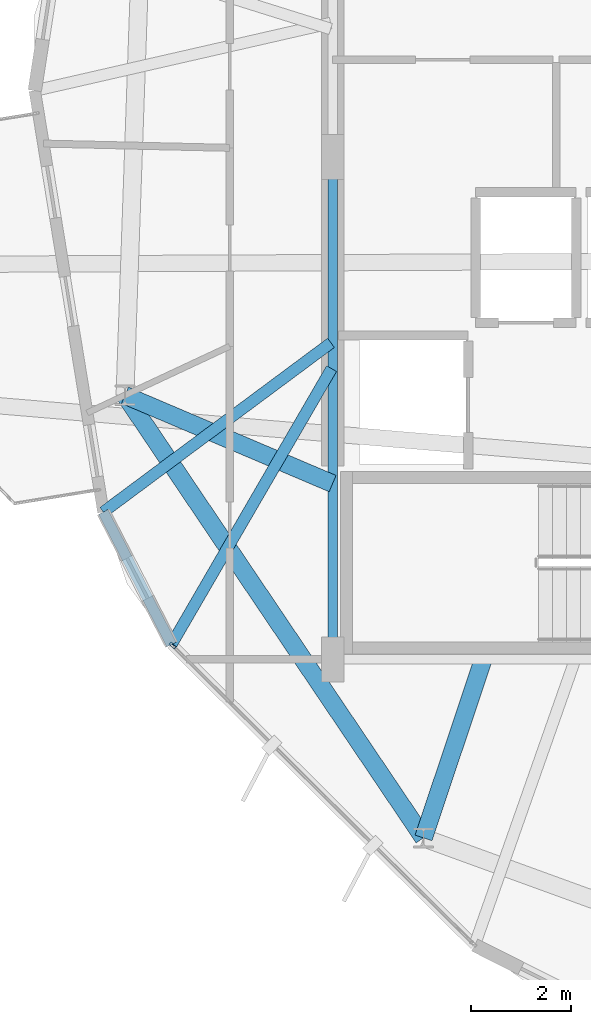
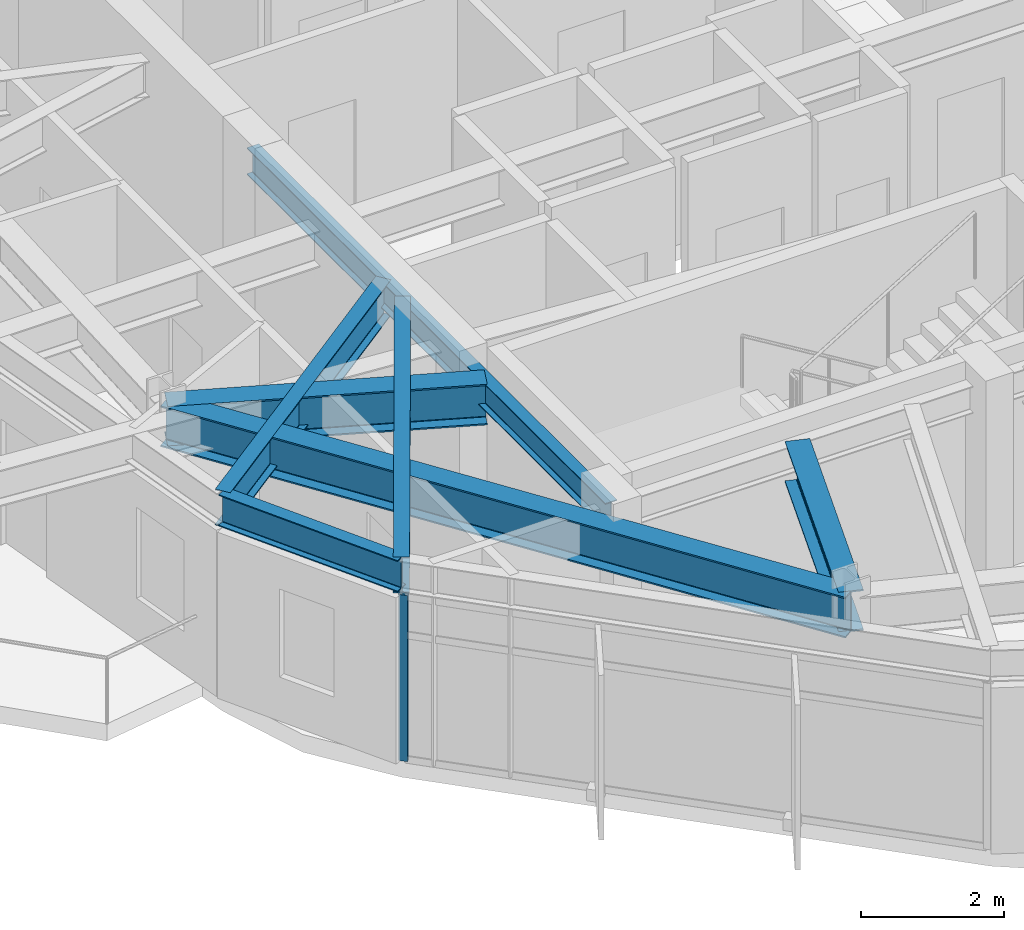
# One storey, part 3 of 22: 7 beams, 1 member, 1 element without a shape of its own.
"""IFC4 building model written with IfcOpenShell, lengths in metres."""

from ifc_helpers import new_model, si_unit, direction, frame, origin, origin_2d, place, context, subcontext, project, spatial, hollow_rectangle, i_section, extrude, material, layer, layer_set, material_profile, profile_set, type_object, element, aggregate, save


model = new_model("IFC4")

# Units and contexts
model_context = context("Model", 3, precision=1e-05, world=origin(), true_north=direction((0.0, 1.0)))
body_context = subcontext(model_context, "Body", "Model", "MODEL_VIEW")
ifc_project = project(units=[si_unit("LENGTHUNIT", "METRE"), si_unit("AREAUNIT", "SQUARE_METRE"), si_unit("VOLUMEUNIT", "CUBIC_METRE"), si_unit("PLANEANGLEUNIT", "RADIAN"), si_unit("MASSUNIT", "GRAM", prefix="KILO")], contexts=[model_context])

# Site, building, storey
site_placement = place(None, origin())
site = spatial("IfcSite", under=ifc_project, at=site_placement, CompositionType="ELEMENT")
building_placement = place(site_placement, origin())
building = spatial("IfcBuilding", under=site, at=building_placement, Name="Soratama Intermodal Tower", CompositionType="ELEMENT")
storey_placement = place(building_placement, frame((0.0, 0.0, 265.0)))
storey = spatial("IfcBuildingStorey", under=building, at=storey_placement, Name="L67", CompositionType="ELEMENT", Elevation=265.0)

# Beams
ifc_material_1 = material(Name="Structural steel ASTM A992 Grade 50", Category="steel")
ifc_material_profile_1 = material_profile(ifc_material_1, i_section(OverallWidth=0.19091796875, OverallDepth=0.4599609375, WebThickness=0.010009765625, FlangeThickness=0.01611328125, FilletRadius=0.010986328125, at=origin_2d()), Name="W18X55")
ifc_profile_set_1 = profile_set([ifc_material_profile_1], Name="Structural steel ASTM A992 Grade 50")
beam_type_1 = type_object("IfcBeamType", Name="BM-FLR-W18X55", PredefinedType="BEAM", material=ifc_profile_set_1)
beam_1_placement = place(storey_placement, frame((32.60009765625, 25.0, 3.219970703125), z_axis=(0.0, -1.0, 0.0), x_axis=(1.0, 0.0, 0.0)))
element("IfcBeam", 1, at=beam_1_placement, inside=storey, type_object=beam_type_1, Name="BM-L67-CRING-09", PredefinedType="BEAM", context=body_context, shape_type="SweptSolid", body=[
    extrude(i_section(OverallWidth=0.19091796875, OverallDepth=0.4599609375, WebThickness=0.010009765625, FlangeThickness=0.01611328125, FilletRadius=0.010986328125, at=origin_2d()), origin(), (0.0, 0.0, 1.0), 10.0),
])
ifc_material_2 = material(Name="Structural steel ASTM A992 Grade 50", Category="steel")
ifc_material_profile_2 = material_profile(ifc_material_2, i_section(OverallWidth=0.35498046875, OverallDepth=0.695068359375, WebThickness=0.015380859375, FlangeThickness=0.02490234375, FilletRadius=0.01611328125, at=origin_2d()), Name="W27X146")
ifc_profile_set_2 = profile_set([ifc_material_profile_2], Name="Structural steel ASTM A992 Grade 50")
beam_type_2 = type_object("IfcBeamType", Name="BM-RING-W27X146", PredefinedType="BEAM", material=ifc_profile_set_2)
beam_2_placement = place(storey_placement, frame((28.466064453125, 20.259033203125, 3.1025390625), z_axis=(0.559218025165, -0.829020627204, 0.0), x_axis=(0.829020627204, 0.559218025165, 0.0)))
element("IfcBeam", 2, at=beam_2_placement, inside=storey, type_object=beam_type_2, Name="BM-L67-RING-06", PredefinedType="BEAM", context=body_context, shape_type="SweptSolid", body=[
    extrude(i_section(OverallWidth=0.35498046875, OverallDepth=0.695068359375, WebThickness=0.015380859375, FlangeThickness=0.02490234375, FilletRadius=0.01611328125, at=origin_2d()), origin(), (0.0, 0.0, 1.0), 10.630615234375),
])
beam_3_placement = place(storey_placement, frame((32.60009765625, 18.5, 3.1025390625), z_axis=(-0.920165049547, 0.391530690485, 0.0), x_axis=(-0.391530690485, -0.920165049547, 0.0)))
element("IfcBeam", 3, at=beam_3_placement, inside=storey, type_object=beam_type_2, Name="BM-L67-RAD-06", PredefinedType="BEAM", context=body_context, shape_type="SweptSolid", body=[
    extrude(i_section(OverallWidth=0.35498046875, OverallDepth=0.695068359375, WebThickness=0.015380859375, FlangeThickness=0.02490234375, FilletRadius=0.01611328125, at=origin_2d()), origin(), (0.0, 0.0, 1.0), 4.49267578125),
])
beam_4_placement = place(storey_placement, frame((35.60009765625, 15.0, 3.1025390625), z_axis=(-0.317321993996, -0.948317853953, 0.0), x_axis=(0.948317853953, -0.317321993996, 0.0)))
element("IfcBeam", 4, at=beam_4_placement, inside=storey, type_object=beam_type_2, Name="BM-L67-RAD-07", PredefinedType="BEAM", context=body_context, shape_type="SweptSolid", body=[
    extrude(i_section(OverallWidth=0.35498046875, OverallDepth=0.695068359375, WebThickness=0.015380859375, FlangeThickness=0.02490234375, FilletRadius=0.01611328125, at=origin_2d()), origin(), (0.0, 0.0, 1.0), 3.74755859375),
])
ifc_material_3 = material(Name="Structural steel ASTM A992 Grade 50", Category="steel")
ifc_material_profile_3 = material_profile(ifc_material_3, i_section(OverallWidth=0.2099609375, OverallDepth=0.537109375, WebThickness=0.010986328125, FlangeThickness=0.017333984375, FilletRadius=0.012939453125, at=origin_2d()), Name="W21X68")
ifc_profile_set_3 = profile_set([ifc_material_profile_3], Name="Structural steel ASTM A992 Grade 50")
beam_type_3 = type_object("IfcBeamType", Name="BM-SPN-W21X68", PredefinedType="SPANDREL", material=ifc_profile_set_3)
beam_5_placement = place(storey_placement, frame((28.034912109375, 17.93408203125, 3.181396484375), z_axis=(0.457621419409, -0.88914713996, 0.0), x_axis=(0.88914713996, 0.457621419409, 0.0)))
element("IfcBeam", 5, at=beam_5_placement, inside=storey, type_object=beam_type_3, Name="BS-L67-CRN04", PredefinedType="SPANDREL", context=body_context, shape_type="SweptSolid", body=[
    extrude(i_section(OverallWidth=0.2099609375, OverallDepth=0.537109375, WebThickness=0.010986328125, FlangeThickness=0.017333984375, FilletRadius=0.012939453125, at=origin_2d()), origin(), (0.0, 0.0, 1.0), 2.9658203125),
])
ifc_material_4 = material(Name="Structural steel ASTM A992 Grade 50", Category="steel")
ifc_material_profile_4 = material_profile(ifc_material_4, i_section(OverallWidth=0.22900390625, OverallDepth=0.612060546875, WebThickness=0.011962890625, FlangeThickness=0.01953125, FilletRadius=0.012939453125, at=origin_2d()), Name="W24X84")
ifc_profile_set_4 = profile_set([ifc_material_profile_4], Name="Structural steel ASTM A992 Grade 50")
beam_type_4 = type_object("IfcBeamType", Name="BM-TIE-W24X84", PredefinedType="BEAM", material=ifc_profile_set_4)
beam_6_placement = place(storey_placement, frame((32.568115234375, 21.302001953125, 3.14404296875), z_axis=(-0.802710144359, -0.596369368884, 0.0), x_axis=(0.596369368884, -0.802710144359, 0.0)))
element("IfcBeam", 6, at=beam_6_placement, inside=storey, type_object=beam_type_4, Name="BM-L67-TIE1-04", PredefinedType="BEAM", context=body_context, shape_type="SweptSolid", body=[
    extrude(i_section(OverallWidth=0.22900390625, OverallDepth=0.612060546875, WebThickness=0.011962890625, FlangeThickness=0.01953125, FilletRadius=0.012939453125, at=origin_2d()), origin(), (0.0, 0.0, 1.0), 5.6474609375),
])
beam_7_placement = place(storey_placement, frame((32.580078125, 20.7890625, 3.14404296875), z_axis=(-0.502031633987, -0.864849257661, 0.0), x_axis=(0.864849257661, -0.502031633987, 0.0)))
element("IfcBeam", 7, at=beam_7_placement, inside=storey, type_object=beam_type_4, Name="BM-L67-TIE0-05", PredefinedType="BEAM", context=body_context, shape_type="SweptSolid", body=[
    extrude(i_section(OverallWidth=0.22900390625, OverallDepth=0.612060546875, WebThickness=0.011962890625, FlangeThickness=0.01953125, FilletRadius=0.012939453125, at=origin_2d()), origin(), (0.0, 0.0, 1.0), 6.35009765625),
])

# Curtain wall, member
ifc_material_5 = material(Name="Double-glazed aluminium curtain wall", Category="aluminium")
ifc_layer = layer(ifc_material_5, 0.159912109375)
ifc_layer_set = layer_set([ifc_layer], Name="Double-glazed aluminium curtain wall")
curtain_wall_type = type_object("IfcCurtainWallType", Name="CW-SYS-5", PredefinedType="NOTDEFINED", material=ifc_layer_set)
curtain_wall_placement = place(storey_placement, origin())
curtain_wall = element("IfcCurtainWall", 8, at=curtain_wall_placement, inside=storey, type_object=curtain_wall_type, Name="L67 Faceted Curtain Wall F05", PredefinedType="NOTDEFINED")
ifc_material_6 = material(Name="Anodised aluminium AA 6063-T6", Category="aluminium")
ifc_material_profile_5 = material_profile(ifc_material_6, hollow_rectangle(XDim=0.06494140625, YDim=0.139892578125, WallThickness=0.0048828125, InnerFilletRadius=0.0048828125, OuterFilletRadius=0.010009765625, at=origin_2d()), Name="CWM140X65X5")
ifc_profile_set_5 = profile_set([ifc_material_profile_5], Name="Anodised aluminium AA 6063-T6")
member_type = type_object("IfcMemberType", Name="MT-CWM-5", PredefinedType="MULLION", material=ifc_profile_set_5)
member_placement = place(storey_placement, frame((29.413818359375, 15.275634765625, 0.0), z_axis=(0.0, 0.0, 1.0), x_axis=(0.704135783486, 0.710065347989, 0.0)))
member = element("IfcMember", 9, at=member_placement, type_object=member_type, Name="CW-5 mullion 1", PredefinedType="MULLION", context=body_context, shape_type="SweptSolid", body=[
    extrude(hollow_rectangle(XDim=0.06494140625, YDim=0.139892578125, WallThickness=0.0048828125, InnerFilletRadius=0.0048828125, OuterFilletRadius=0.010009765625, at=origin_2d()), origin(), (0.0, 0.0, 1.0), 2.8291015625),
])
aggregate(curtain_wall, [member])

save(model, "model.ifc")
